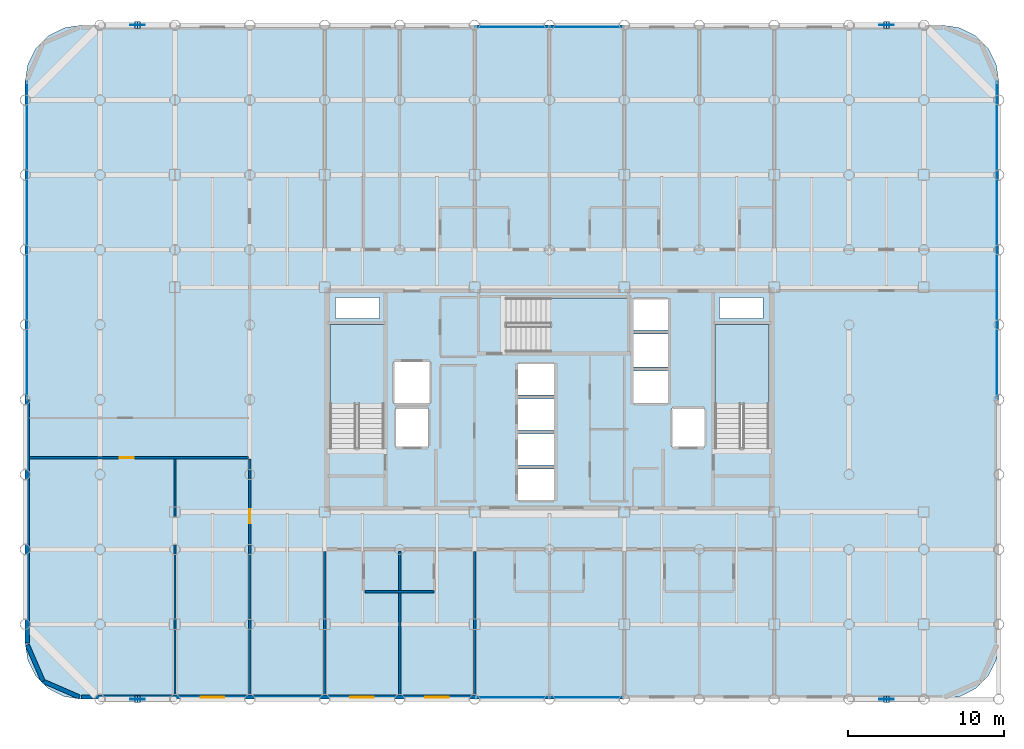
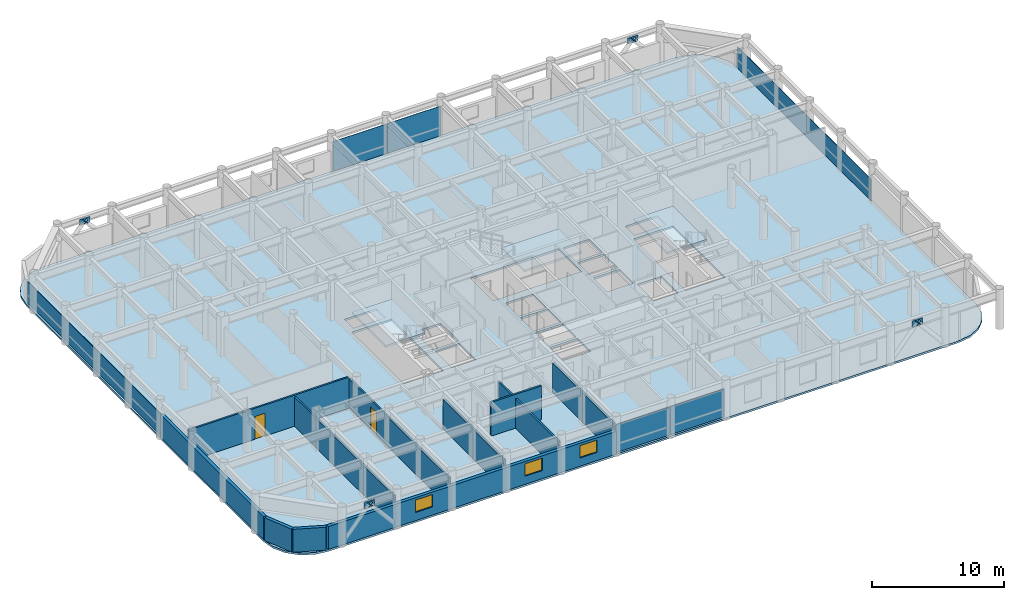
# One storey, part 15 of 20: 18 plates, 11 walls, 4 slabs, 3 windows, 2 doors, 5 openings, 7 elements without a shape of their own.
"""IFC4 building model written with IfcOpenShell, lengths in metres."""

from ifc_helpers import new_model, si_unit, direction, frame, frame_2d, origin, origin_2d, place, context, subcontext, project, spatial, polyline, rectangle, outline, extrude, material, layer, layer_set, type_object, element, fill, aggregate, save


model = new_model("IFC4")

# Units and contexts
model_context = context("Model", 3, precision=1e-05, world=origin(), true_north=direction((0.0, 1.0)))
body_context = subcontext(model_context, "Body", "Model", "MODEL_VIEW")
ifc_project = project(units=[si_unit("LENGTHUNIT", "METRE"), si_unit("AREAUNIT", "SQUARE_METRE"), si_unit("VOLUMEUNIT", "CUBIC_METRE"), si_unit("PLANEANGLEUNIT", "RADIAN"), si_unit("MASSUNIT", "GRAM", prefix="KILO")], contexts=[model_context])

# Site, building, storey
site_placement = place(None, origin())
site = spatial("IfcSite", under=ifc_project, at=site_placement, CompositionType="ELEMENT")
building_placement = place(site_placement, origin())
building = spatial("IfcBuilding", under=site, at=building_placement, Name="Kallvorn Hotel Tower", CompositionType="ELEMENT")
storey_placement = place(building_placement, frame((0.0, 0.0, 128.5)))
storey = spatial("IfcBuildingStorey", under=building, at=storey_placement, Name="L31", CompositionType="ELEMENT", Elevation=128.5)

# Curtain wall, plates
ifc_material_1 = material(Name="Thermally broken black-anodised aluminium AA 6063-T6", Category="aluminium")
ifc_layer_1 = layer(ifc_material_1, 0.2099609375)
ifc_layer_set_1 = layer_set([ifc_layer_1], Name="CW_SYS_4_HOTEL_MID")
curtain_wall_type = type_object("IfcCurtainWallType", Name="CW_SYS_4_HOTEL_MID", PredefinedType="USERDEFINED", material=ifc_layer_set_1)
curtain_wall_1_placement = place(storey_placement, origin())
curtain_wall_1 = element("IfcCurtainWall", 1, at=curtain_wall_1_placement, inside=storey, type_object=curtain_wall_type, Name="L31 Dark-Glass Curtain Wall CW-L31-SC", ObjectType="UNITISED CURTAIN WALL", PredefinedType="USERDEFINED")
ifc_material_2 = material(Name="Double-glazed low-e solar-control dark glass", Category="glass")
ifc_layer_2 = layer(ifc_material_2, 0.037841796875)
ifc_layer_set_2 = layer_set([ifc_layer_2], Name="CW_SYS_4_HOTEL_MID_PANEL")
plate_type_1 = type_object("IfcPlateType", Name="CW_SYS_4_HOTEL_MID_PANEL", PredefinedType="CURTAIN_PANEL", material=ifc_layer_set_2)
plate_1_placement = place(storey_placement, frame((-2.375, -19.080078125, 0.06005859375), z_axis=(0.0, 0.0, 1.0), x_axis=(1.0, 0.0, 0.0)))
plate_1 = element("IfcPlate", 2, at=plate_1_placement, type_object=plate_type_1, Name="CW-L31-SC Vision Glass Panel 00", PredefinedType="CURTAIN_PANEL", context=body_context, shape_type="SweptSolid", body=[
    extrude(rectangle(XDim=4.68994140625, YDim=0.037841796875, at=origin_2d()), origin(), (0.0, 0.0, 1.0), 2.60009765625),
])
plate_2_placement = place(storey_placement, frame((2.375, -19.080078125, 0.06005859375), z_axis=(0.0, 0.0, 1.0), x_axis=(1.0, 0.0, 0.0)))
plate_2 = element("IfcPlate", 3, at=plate_2_placement, type_object=plate_type_1, Name="CW-L31-SC Vision Glass Panel 01", PredefinedType="CURTAIN_PANEL", context=body_context, shape_type="SweptSolid", body=[
    extrude(rectangle(XDim=4.68994140625, YDim=0.037841796875, at=origin_2d()), origin(), (0.0, 0.0, 1.0), 2.60009765625),
])
aggregate(curtain_wall_1, [plate_1, plate_2])

curtain_wall_2_placement = place(storey_placement, origin())
curtain_wall_2 = element("IfcCurtainWall", 4, at=curtain_wall_2_placement, inside=storey, type_object=curtain_wall_type, Name="L31 Dark-Glass Curtain Wall CW-L31-NC", ObjectType="UNITISED CURTAIN WALL", PredefinedType="USERDEFINED")
plate_3_placement = place(storey_placement, frame((-2.375, 23.8798828125, 0.06005859375), z_axis=(0.0, 0.0, 1.0), x_axis=(1.0, 0.0, 0.0)))
plate_3 = element("IfcPlate", 5, at=plate_3_placement, type_object=plate_type_1, Name="CW-L31-NC Vision Glass Panel 00", PredefinedType="CURTAIN_PANEL", context=body_context, shape_type="SweptSolid", body=[
    extrude(rectangle(XDim=4.68994140625, YDim=0.037841796875, at=origin_2d()), origin(), (0.0, 0.0, 1.0), 2.75),
])
plate_4_placement = place(storey_placement, frame((2.375, 23.8798828125, 0.06005859375), z_axis=(0.0, 0.0, 1.0), x_axis=(1.0, 0.0, 0.0)))
plate_4 = element("IfcPlate", 6, at=plate_4_placement, type_object=plate_type_1, Name="CW-L31-NC Vision Glass Panel 01", PredefinedType="CURTAIN_PANEL", context=body_context, shape_type="SweptSolid", body=[
    extrude(rectangle(XDim=4.68994140625, YDim=0.037841796875, at=origin_2d()), origin(), (0.0, 0.0, 1.0), 2.75),
])
aggregate(curtain_wall_2, [plate_3, plate_4])

# Curtain wall, plate
curtain_wall_3_placement = place(storey_placement, origin())
curtain_wall_3 = element("IfcCurtainWall", 7, at=curtain_wall_3_placement, inside=storey, type_object=curtain_wall_type, Name="L31 Dark-Glass Curtain Wall CW-L31-WN", ObjectType="UNITISED CURTAIN WALL", PredefinedType="USERDEFINED")
plate_5_placement = place(storey_placement, frame((-33.47998046875, 10.2099609375, 0.06005859375), z_axis=(0.0, 0.0, 1.0), x_axis=(0.0, 1.0, 0.0)))
plate_5 = element("IfcPlate", 8, at=plate_5_placement, type_object=plate_type_1, Name="CW-L31-WN Vision Glass Panel 00", PredefinedType="CURTAIN_PANEL", context=body_context, shape_type="SweptSolid", body=[
    extrude(rectangle(XDim=20.320068359375, YDim=0.037841796875, at=origin_2d()), origin(), (0.0, 0.0, 1.0), 2.0),
])
aggregate(curtain_wall_3, [plate_5])

curtain_wall_4_placement = place(storey_placement, origin())
curtain_wall_4 = element("IfcCurtainWall", 9, at=curtain_wall_4_placement, inside=storey, type_object=curtain_wall_type, Name="L31 Dark-Glass Curtain Wall CW-L31-EN", ObjectType="UNITISED CURTAIN WALL", PredefinedType="USERDEFINED")
plate_6_placement = place(storey_placement, frame((28.679931640625, 10.2099609375, 0.06005859375), z_axis=(0.0, 0.0, 1.0), x_axis=(0.0, 1.0, 0.0)))
plate_6 = element("IfcPlate", 10, at=plate_6_placement, type_object=plate_type_1, Name="CW-L31-EN Vision Glass Panel 00", PredefinedType="CURTAIN_PANEL", context=body_context, shape_type="SweptSolid", body=[
    extrude(rectangle(XDim=20.320068359375, YDim=0.037841796875, at=origin_2d()), origin(), (0.0, 0.0, 1.0), 2.0),
])
aggregate(curtain_wall_4, [plate_6])

# Plates
ifc_material_3 = material(Name="Structural steel S355JR", Category="steel")
ifc_layer_3 = layer(ifc_material_3, 0.030029296875)
ifc_layer_set_3 = layer_set([ifc_layer_3], Name="PLT_CAP_30")
plate_type_2 = type_object("IfcPlateType", Name="PLT_CAP_30", PredefinedType="SHEET", material=ifc_layer_set_3)
plate_7_placement = place(storey_placement, frame((-26.227294921875, -19.417724609375, 2.876708984375), z_axis=(0.646720691081, 0.0, 0.762726915565), x_axis=(0.0, 1.0, 0.0)))
element("IfcPlate", 11, at=plate_7_placement, inside=storey, type_object=plate_type_2, Name="EXO-L31-S1A End Cap Plate B", PredefinedType="SHEET", context=body_context, shape_type="SweptSolid", body=[
    extrude(outline(polyline([(0.0, 0.0), (0.435546875, 0.0), (0.435546875, 0.4356413597636253), (0.0, 0.4356413597636253), (0.0, 0.0)])), origin(), (0.0, 0.0, -1.0), 0.030029296875),
])
plate_8_placement = place(storey_placement, frame((-26.572509765625, -18.982177734375, 2.876708984375), z_axis=(-0.646997204148, 0.0, 0.762492372306), x_axis=(0.0, -1.0, 0.0)))
element("IfcPlate", 12, at=plate_8_placement, inside=storey, type_object=plate_type_2, Name="EXO-L31-S1B End Cap Plate B", PredefinedType="SHEET", context=body_context, shape_type="SweptSolid", body=[
    extrude(outline(polyline([(0.0, 0.0), (0.435546875, 0.0), (0.435546875, 0.43545517576240456), (0.0, 0.43545517576240456), (0.0, 0.0)])), origin(), (0.0, 0.0, -1.0), 0.030029296875),
])
plate_9_placement = place(storey_placement, frame((21.772705078125, -19.417724609375, 2.876708984375), z_axis=(0.646720691081, 0.0, 0.762726915565), x_axis=(0.0, 1.0, 0.0)))
element("IfcPlate", 13, at=plate_9_placement, inside=storey, type_object=plate_type_2, Name="EXO-L31-S2A End Cap Plate B", PredefinedType="SHEET", context=body_context, shape_type="SweptSolid", body=[
    extrude(outline(polyline([(0.0, 0.0), (0.435546875, 0.0), (0.435546875, 0.4356413597636253), (0.0, 0.4356413597636253), (0.0, 0.0)])), origin(), (0.0, 0.0, -1.0), 0.030029296875),
])
plate_10_placement = place(storey_placement, frame((21.427490234375, -18.982177734375, 2.876708984375), z_axis=(-0.646997204148, 0.0, 0.762492372306), x_axis=(0.0, -1.0, 0.0)))
element("IfcPlate", 14, at=plate_10_placement, inside=storey, type_object=plate_type_2, Name="EXO-L31-S2B End Cap Plate B", PredefinedType="SHEET", context=body_context, shape_type="SweptSolid", body=[
    extrude(outline(polyline([(0.0, 0.0), (0.435546875, 0.0), (0.435546875, 0.43545517576240456), (0.0, 0.43545517576240456), (0.0, 0.0)])), origin(), (0.0, 0.0, -1.0), 0.030029296875),
])
plate_11_placement = place(storey_placement, frame((-26.227294921875, 23.7822265625, 2.876708984375), z_axis=(0.646720691081, 0.0, 0.762726915565), x_axis=(0.0, 1.0, 0.0)))
element("IfcPlate", 15, at=plate_11_placement, inside=storey, type_object=plate_type_2, Name="EXO-L31-N1A End Cap Plate B", PredefinedType="SHEET", context=body_context, shape_type="SweptSolid", body=[
    extrude(outline(polyline([(0.0, 0.0), (0.435546875, 0.0), (0.435546875, 0.4356413597636253), (0.0, 0.4356413597636253), (0.0, 0.0)])), origin(), (0.0, 0.0, -1.0), 0.030029296875),
])
plate_12_placement = place(storey_placement, frame((-26.572509765625, 24.2177734375, 2.876708984375), z_axis=(-0.646997204148, 0.0, 0.762492372306), x_axis=(0.0, -1.0, 0.0)))
element("IfcPlate", 16, at=plate_12_placement, inside=storey, type_object=plate_type_2, Name="EXO-L31-N1B End Cap Plate B", PredefinedType="SHEET", context=body_context, shape_type="SweptSolid", body=[
    extrude(outline(polyline([(0.0, 0.0), (0.435546875, 0.0), (0.435546875, 0.43545517576240456), (0.0, 0.43545517576240456), (0.0, 0.0)])), origin(), (0.0, 0.0, -1.0), 0.030029296875),
])
plate_13_placement = place(storey_placement, frame((21.772705078125, 23.7822265625, 2.876708984375), z_axis=(0.646720691081, 0.0, 0.762726915565), x_axis=(0.0, 1.0, 0.0)))
element("IfcPlate", 17, at=plate_13_placement, inside=storey, type_object=plate_type_2, Name="EXO-L31-N2A End Cap Plate B", PredefinedType="SHEET", context=body_context, shape_type="SweptSolid", body=[
    extrude(outline(polyline([(0.0, 0.0), (0.435546875, 0.0), (0.435546875, 0.4356413597636253), (0.0, 0.4356413597636253), (0.0, 0.0)])), origin(), (0.0, 0.0, -1.0), 0.030029296875),
])
plate_14_placement = place(storey_placement, frame((21.427490234375, 24.2177734375, 2.876708984375), z_axis=(-0.646997204148, 0.0, 0.762492372306), x_axis=(0.0, -1.0, 0.0)))
element("IfcPlate", 18, at=plate_14_placement, inside=storey, type_object=plate_type_2, Name="EXO-L31-N2B End Cap Plate B", PredefinedType="SHEET", context=body_context, shape_type="SweptSolid", body=[
    extrude(outline(polyline([(0.0, 0.0), (0.435546875, 0.0), (0.435546875, 0.43545517576240456), (0.0, 0.43545517576240456), (0.0, 0.0)])), origin(), (0.0, 0.0, -1.0), 0.030029296875),
])
ifc_material_4 = material(Name="Structural steel S355JR", Category="steel")
ifc_layer_4 = layer(ifc_material_4, 0.044921875)
ifc_layer_set_4 = layer_set([ifc_layer_4], Name="PLT_GUSSET_45")
plate_type_3 = type_object("IfcPlateType", Name="PLT_GUSSET_45", PredefinedType="USERDEFINED", material=ifc_layer_set_4)
for number, where, z_axis, x_axis, name in (
    (19, (-26.39990234375, -19.199951171875, 2.68994140625), (0.0, 0.0, 1.0), (1.0, 0.0, 0.0), "L31 Exoskeleton Node Gusset S1"),
    (20, (21.60009765625, -19.199951171875, 2.68994140625), (0.0, 0.0, 1.0), (1.0, 0.0, 0.0), "L31 Exoskeleton Node Gusset S2"),
    (21, (-26.39990234375, 24.0, 2.68994140625), (0.0, 0.0, 1.0), (1.0, 0.0, 0.0), "L31 Exoskeleton Node Gusset N1"),
    (22, (21.60009765625, 24.0, 2.68994140625), (0.0, 0.0, 1.0), (1.0, 0.0, 0.0), "L31 Exoskeleton Node Gusset N2"),
):
    element("IfcPlate", number, at=place(storey_placement, frame(where, z_axis=z_axis, x_axis=x_axis)), inside=storey, type_object=plate_type_3, Name=name, ObjectType="GUSSET PLATE", PredefinedType="USERDEFINED", context=body_context, shape_type="SweptSolid", body=[
        extrude(rectangle(XDim=0.89990234375, YDim=0.044921875, at=origin_2d()), origin(), (0.0, 0.0, 1.0), 0.56005859375),
    ])

# Stair, slab
ifc_material_5 = material(Name="Precast concrete C40/50", Category="concrete")
stair_type = type_object("IfcStairType", Name="STR_CORE_DOGLEG", PredefinedType="HALF_TURN_STAIR", material=ifc_material_5)
stair_1_placement = place(storey_placement, origin())
stair_1 = element("IfcStair", 23, at=stair_1_placement, inside=storey, type_object=stair_type, Name="L31 Exit stair ST1", PredefinedType="HALF_TURN_STAIR")
ifc_material_6 = material(Name="Precast concrete C40/50", Category="concrete")
ifc_layer_5 = layer(ifc_material_6, 0.179931640625)
ifc_layer_set_5 = layer_set([ifc_layer_5], Name="SLB_LANDING_180")
slab_type_1 = type_object("IfcSlabType", Name="SLB_LANDING_180", PredefinedType="LANDING", material=ifc_layer_set_5)
slab_1_placement = place(storey_placement, frame((0.0, 0.0, 1.64990234375)))
slab_1 = element("IfcSlab", 24, at=slab_1_placement, type_object=slab_type_1, Name="ST1 landing 1", PredefinedType="LANDING", context=body_context, shape_type="SweptSolid", body=[
    extrude(outline(polyline([(-10.60009765625, -0.31005859375), (-10.60009765625, 4.800048828125), (-14.06005859375, 4.800048828125), (-14.06005859375, -0.31005859375), (-10.60009765625, -0.31005859375)])), origin(), (0.0, 0.0, 1.0), 0.2001953125),
])
aggregate(stair_1, [slab_1])

stair_2_placement = place(storey_placement, origin())
stair_2 = element("IfcStair", 25, at=stair_2_placement, inside=storey, type_object=stair_type, Name="L31 Exit stair ST2", PredefinedType="HALF_TURN_STAIR")
slab_2_placement = place(storey_placement, frame((0.0, 0.0, 1.64990234375)))
slab_2 = element("IfcSlab", 26, at=slab_2_placement, type_object=slab_type_1, Name="ST2 landing 1", PredefinedType="LANDING", context=body_context, shape_type="SweptSolid", body=[
    extrude(outline(polyline([(14.06005859375, -0.31005859375), (14.06005859375, 4.800048828125), (10.60009765625, 4.800048828125), (10.60009765625, -0.31005859375), (14.06005859375, -0.31005859375)])), origin(), (0.0, 0.0, 1.0), 0.2001953125),
])
aggregate(stair_2, [slab_2])

stair_3_placement = place(storey_placement, origin())
stair_3 = element("IfcStair", 27, at=stair_3_placement, inside=storey, type_object=stair_type, Name="L31 Exit stair ST3", PredefinedType="HALF_TURN_STAIR")
slab_3_placement = place(storey_placement, frame((0.0, 0.0, 1.64990234375)))
slab_3 = element("IfcSlab", 28, at=slab_3_placement, type_object=slab_type_1, Name="ST3 landing 1", PredefinedType="LANDING", context=body_context, shape_type="SweptSolid", body=[
    extrude(outline(polyline([(0.0400390625, 3.050048828125), (5.050048828125, 3.050048828125), (5.050048828125, 6.510009765625), (0.0400390625, 6.510009765625), (0.0400390625, 3.050048828125)])), origin(), (0.0, 0.0, 1.0), 0.2001953125),
])
aggregate(stair_3, [slab_3])

# Slab
ifc_material_7 = material(Name="Concrete C40/50", Category="concrete")
ifc_layer_6 = layer(ifc_material_7, 0.179931640625)
ifc_layer_set_6 = layer_set([ifc_layer_6], Name="SLB_TOWER_180")
slab_type_2 = type_object("IfcSlabType", Name="SLB_TOWER_180", PredefinedType="FLOOR", material=ifc_layer_set_6)
slab_4_placement = place(storey_placement, frame((0.0, 0.0, -0.179931640625)))
element("IfcSlab", 29, at=slab_4_placement, inside=storey, type_object=slab_type_2, Name="L31 Structural Floor Slab", PredefinedType="FLOOR", context=body_context, shape_type="SweptSolid", body=[
    extrude(outline(polyline([(25.199951171875, -19.199951171875), (26.3125, -19.023681640625), (27.31591796875, -18.512451171875), (28.112548828125, -17.716064453125), (28.623779296875, -16.71240234375), (28.800048828125, -15.60009765625), (28.800048828125, 20.39990234375), (28.623779296875, 21.512451171875), (28.112548828125, 22.51611328125), (27.31591796875, 23.3125), (26.3125, 23.82373046875), (25.199951171875, 24.0), (-30.0, 24.0), (-31.112548828125, 23.82373046875), (-32.115966796875, 23.3125), (-32.91259765625, 22.51611328125), (-33.423828125, 21.512451171875), (-33.60009765625, 20.39990234375), (-33.60009765625, -15.60009765625), (-33.423828125, -16.71240234375), (-32.91259765625, -17.716064453125), (-32.115966796875, -18.512451171875), (-31.112548828125, -19.023681640625), (-30.0, -19.199951171875), (25.199951171875, -19.199951171875)]), holes=[polyline([(-10.60009765625, -3.070068359375), (-10.60009765625, 4.800048828125), (-14.06005859375, 4.800048828125), (-14.06005859375, -3.070068359375), (-10.60009765625, -3.070068359375)]), polyline([(14.06005859375, -3.070068359375), (14.06005859375, 4.800048828125), (10.60009765625, 4.800048828125), (10.60009765625, -3.070068359375), (14.06005859375, -3.070068359375)]), polyline([(-2.719970703125, 3.050048828125), (5.050048828125, 3.050048828125), (5.050048828125, 6.510009765625), (-2.719970703125, 6.510009765625), (-2.719970703125, 3.050048828125)]), polyline([(-2.050048828125, -6.449951171875), (0.35009765625, -6.449951171875), (0.35009765625, -4.449951171875), (-2.050048828125, -4.449951171875), (-2.050048828125, -6.449951171875)]), polyline([(-2.050048828125, -4.199951171875), (0.35009765625, -4.199951171875), (0.35009765625, -2.199951171875), (-2.050048828125, -2.199951171875), (-2.050048828125, -4.199951171875)]), polyline([(-2.050048828125, -1.949951171875), (0.35009765625, -1.949951171875), (0.35009765625, 0.050048828125), (-2.050048828125, 0.050048828125), (-2.050048828125, -1.949951171875)]), polyline([(-2.050048828125, 0.300048828125), (0.35009765625, 0.300048828125), (0.35009765625, 2.300048828125), (-2.050048828125, 2.300048828125), (-2.050048828125, 0.300048828125)]), polyline([(5.35009765625, -0.25), (7.64990234375, -0.25), (7.64990234375, 1.85009765625), (5.35009765625, 1.85009765625), (5.35009765625, -0.25)]), polyline([(5.35009765625, 2.10009765625), (7.64990234375, 2.10009765625), (7.64990234375, 4.199951171875), (5.35009765625, 4.199951171875), (5.35009765625, 2.10009765625)]), polyline([(5.35009765625, 4.449951171875), (7.64990234375, 4.449951171875), (7.64990234375, 6.449951171875), (5.35009765625, 6.449951171875), (5.35009765625, 4.449951171875)]), polyline([(-9.85009765625, -3.050048828125), (-7.75, -3.050048828125), (-7.75, -0.550048828125), (-9.85009765625, -0.550048828125), (-9.85009765625, -3.050048828125)]), polyline([(7.85009765625, -3.050048828125), (9.949951171875, -3.050048828125), (9.949951171875, -0.550048828125), (7.85009765625, -0.550048828125), (7.85009765625, -3.050048828125)]), polyline([(-9.949951171875, -0.25), (-7.64990234375, -0.25), (-7.64990234375, 2.449951171875), (-9.949951171875, 2.449951171875), (-9.949951171875, -0.25)]), polyline([(-13.699951171875, 5.199951171875), (-10.89990234375, 5.199951171875), (-10.89990234375, 6.550048828125), (-13.699951171875, 6.550048828125), (-13.699951171875, 5.199951171875)]), polyline([(10.89990234375, 5.199951171875), (13.699951171875, 5.199951171875), (13.699951171875, 6.550048828125), (10.89990234375, 6.550048828125), (10.89990234375, 5.199951171875)])]), origin(), (0.0, 0.0, 1.0), 0.179931640625),
])

# Walls
ifc_material_8 = material(Name="Fire-rated double-layer acoustic gypsum drywall EI 60")
ifc_layer_7 = layer(ifc_material_8, 0.159912109375)
ifc_layer_set_7 = layer_set([ifc_layer_7], Name="WL_DEMISE_160")
wall_type_1 = type_object("IfcWallType", Name="WL_DEMISE_160", PredefinedType="PARTITIONING", material=ifc_layer_set_7)
wall_1_placement = place(storey_placement, frame((-11.81005859375, -12.320068359375, 0.0), z_axis=(0.0, 0.0, 1.0), x_axis=(1.0, 0.0, 0.0)))
element("IfcWall", 30, at=wall_1_placement, inside=storey, type_object=wall_type_1, Name="L31 Suite 3101 Superior Twin Room Partition", PredefinedType="PARTITIONING", context=body_context, shape_type="SweptSolid", body=[
    extrude(rectangle(XDim=4.420166015625, YDim=0.159912109375, at=frame_2d((2.2099609375, 0.0))), origin(), (0.0, 0.0, 1.0), 3.1201171875),
])
for number, where, z_axis, x_axis, name in (
    (31, (-14.39990234375, -18.909912109375, 0.0), (0.0, 0.0, 1.0), (0.0, 1.0, 0.0), "L31 Suite 3101 Superior Twin Room Partition"),
    (32, (-9.60009765625, -18.909912109375, 0.0), (0.0, 0.0, 1.0), (0.0, 1.0, 0.0), "L31 Suite 3101 Superior Twin Room Partition"),
    (33, (-4.800048828125, -18.909912109375, 0.0), (0.0, 0.0, 1.0), (0.0, 1.0, 0.0), "L31 Suite 3102 Superior Twin Room Partition"),
):
    element("IfcWall", number, at=place(storey_placement, frame(where, z_axis=z_axis, x_axis=x_axis)), inside=storey, type_object=wall_type_1, Name=name, PredefinedType="PARTITIONING", context=body_context, shape_type="SweptSolid", body=[
        extrude(rectangle(XDim=9.18994140625, YDim=0.159912109375, at=frame_2d((4.594970703125, 0.0))), origin(), (0.0, 0.0, 1.0), 2.719970703125),
    ])
ifc_material_9 = material(Name="Precast basalt-clad insulated concrete wall C40/50", Category="masonry")
ifc_layer_8 = layer(ifc_material_9, 0.280029296875)
ifc_layer_set_8 = layer_set([ifc_layer_8], Name="WL_EXT_LOGGIA_280")
wall_type_2 = type_object("IfcWallType", Name="WL_EXT_LOGGIA_280", PredefinedType="SOLIDWALL", material=ifc_layer_set_8)
wall_2_placement = place(storey_placement, frame((-33.4580078125, -15.720703125, 0.0), z_axis=(0.0, 0.0, 1.0), x_axis=(0.398792985289, -0.917040977756, 0.0)))
element("IfcWall", 34, at=wall_2_placement, inside=storey, type_object=wall_type_2, Name="L31 Rounded Corner Exterior Wall SW1", PredefinedType="SOLIDWALL", context=body_context, shape_type="SweptSolid", body=[
    extrude(rectangle(XDim=2.536376953125, YDim=0.280029296875, at=frame_2d((1.26806640625, 0.0))), origin(), (0.0, 0.0, 1.0), 2.1201171875),
])
wall_3_placement = place(storey_placement, frame((-32.446533203125, -18.046630859375, 0.0), z_axis=(0.0, 0.0, 1.0), x_axis=(0.917060872934, -0.398747232384, 0.0)))
element("IfcWall", 35, at=wall_3_placement, inside=storey, type_object=wall_type_2, Name="L31 Rounded Corner Exterior Wall SW2", PredefinedType="SOLIDWALL", context=body_context, shape_type="SweptSolid", body=[
    extrude(rectangle(XDim=2.5361328125, YDim=0.280029296875, at=frame_2d((1.26806640625, 0.0))), origin(), (0.0, 0.0, 1.0), 2.1201171875),
])

# Wall, openings, windows
wall_4_placement = place(storey_placement, frame((-30.0, -19.06005859375, 0.0), z_axis=(0.0, 0.0, 1.0), x_axis=(1.0, 0.0, 0.0)))
wall_4 = element("IfcWall", 36, at=wall_4_placement, inside=storey, type_object=wall_type_2, Name="L31 Exterior Envelope Wall EW-L31-SW", PredefinedType="SOLIDWALL", context=body_context, shape_type="SweptSolid", body=[
    extrude(rectangle(XDim=25.25, YDim=0.280029296875, at=frame_2d((12.625, 0.0))), origin(), (0.0, 0.0, 1.0), 2.1201171875),
])
opening_1_placement = place(wall_4_placement, frame((7.64990234375, 0.0, 0.75)))
opening_1 = element("IfcOpeningElement", 37, at=opening_1_placement, cuts=wall_4, Name="Opening W05A", PredefinedType="OPENING", context=body_context, shape_type="SweptSolid", body=[
    extrude(rectangle(XDim=1.5, YDim=1.14990234375, at=frame_2d((0.75, 0.574951171875))), frame((0.0, 0.155029296875, 0.0), z_axis=(0.0, -1.0, 0.0), x_axis=(1.0, 0.0, 0.0)), (0.0, 0.0, 1.0), 0.31005859375),
])
opening_2_placement = place(wall_4_placement, frame((17.25, 0.0, 0.75)))
opening_2 = element("IfcOpeningElement", 38, at=opening_2_placement, cuts=wall_4, Name="Opening W05A", PredefinedType="OPENING", context=body_context, shape_type="SweptSolid", body=[
    extrude(rectangle(XDim=1.5, YDim=1.14990234375, at=frame_2d((0.75, 0.574951171875))), frame((0.0, 0.155029296875, 0.0), z_axis=(0.0, -1.0, 0.0), x_axis=(1.0, 0.0, 0.0)), (0.0, 0.0, 1.0), 0.31005859375),
])
opening_3_placement = place(wall_4_placement, frame((22.050048828125, 0.0, 0.75)))
opening_3 = element("IfcOpeningElement", 39, at=opening_3_placement, cuts=wall_4, Name="Opening W05A", PredefinedType="OPENING", context=body_context, shape_type="SweptSolid", body=[
    extrude(rectangle(XDim=1.5, YDim=1.14990234375, at=frame_2d((0.75, 0.574951171875))), frame((0.0, 0.155029296875, 0.0), z_axis=(0.0, -1.0, 0.0), x_axis=(1.0, 0.0, 0.0)), (0.0, 0.0, 1.0), 0.31005859375),
])
ifc_material_10 = material(Name="Double-glazed low-e solar-control dark glass", Category="glass")
window_type = type_object("IfcWindowType", Name="WN_HTL_1500x1150", PartitioningType="SINGLE_PANEL", PredefinedType="WINDOW", material=ifc_material_10)
window_1_placement = place(opening_1_placement, origin())
window_1 = element("IfcWindow", 40, at=window_1_placement, inside=storey, type_object=window_type, Name="L31 Guestroom Exterior Window 01", OverallHeight=1.14990234375, OverallWidth=1.5, PartitioningType="SINGLE_PANEL", PredefinedType="WINDOW", context=body_context, shape_type="SweptSolid", body=[
    extrude(rectangle(XDim=1.5, YDim=1.14990234375, at=frame_2d((0.75, 0.574951171875))), frame((0.0, 0.030029296875, 0.0), z_axis=(0.0, -1.0, 0.0), x_axis=(1.0, 0.0, 0.0)), (0.0, 0.0, 1.0), 0.06005859375),
])
fill(opening_1, window_1)
window_2_placement = place(opening_2_placement, origin())
window_2 = element("IfcWindow", 41, at=window_2_placement, inside=storey, type_object=window_type, Name="L31 Guestroom Exterior Window 05", OverallHeight=1.14990234375, OverallWidth=1.5, PartitioningType="SINGLE_PANEL", PredefinedType="WINDOW", context=body_context, shape_type="SweptSolid", body=[
    extrude(rectangle(XDim=1.5, YDim=1.14990234375, at=frame_2d((0.75, 0.574951171875))), frame((0.0, 0.030029296875, 0.0), z_axis=(0.0, -1.0, 0.0), x_axis=(1.0, 0.0, 0.0)), (0.0, 0.0, 1.0), 0.06005859375),
])
fill(opening_2, window_2)
window_3_placement = place(opening_3_placement, origin())
window_3 = element("IfcWindow", 42, at=window_3_placement, inside=storey, type_object=window_type, Name="L31 Guestroom Exterior Window 06", OverallHeight=1.14990234375, OverallWidth=1.5, PartitioningType="SINGLE_PANEL", PredefinedType="WINDOW", context=body_context, shape_type="SweptSolid", body=[
    extrude(rectangle(XDim=1.5, YDim=1.14990234375, at=frame_2d((0.75, 0.574951171875))), frame((0.0, 0.030029296875, 0.0), z_axis=(0.0, -1.0, 0.0), x_axis=(1.0, 0.0, 0.0)), (0.0, 0.0, 1.0), 0.06005859375),
])
fill(opening_3, window_3)

# Wall
wall_5_placement = place(storey_placement, frame((-33.4599609375, -15.60009765625, 0.0), z_axis=(0.0, 0.0, 1.0), x_axis=(0.0, 1.0, 0.0)))
element("IfcWall", 43, at=wall_5_placement, inside=storey, type_object=wall_type_2, Name="L31 Exterior Envelope Wall EW-L31-WS", PredefinedType="SOLIDWALL", context=body_context, shape_type="SweptSolid", body=[
    extrude(rectangle(XDim=15.580078125, YDim=0.280029296875, at=frame_2d((7.7900390625, 0.0))), origin(), (0.0, 0.0, 1.0), 2.1201171875),
])

# Wall, opening, door
ifc_material_11 = material(Name="Fire-rated double-layer acoustic gypsum drywall EI 60")
ifc_layer_9 = layer(ifc_material_11, 0.14990234375)
ifc_layer_set_9 = layer_set([ifc_layer_9], Name="WL_PART_150")
wall_type_3 = type_object("IfcWallType", Name="WL_PART_150", PredefinedType="PARTITIONING", material=ifc_layer_set_9)
wall_6_placement = place(storey_placement, frame((-33.31005859375, -3.719970703125, 0.0), z_axis=(0.0, 0.0, 1.0), x_axis=(1.0, 0.0, 0.0)))
wall_6 = element("IfcWall", 44, at=wall_6_placement, inside=storey, type_object=wall_type_3, Name="L31 L31 Outer South-West Tea Bar Partition", PredefinedType="PARTITIONING", context=body_context, shape_type="SweptSolid", body=[
    extrude(rectangle(XDim=14.030029296875, YDim=0.14990234375, at=frame_2d((7.01513671875, 0.0))), origin(), (0.0, 0.0, 1.0), 2.8701171875),
])
opening_4_placement = place(wall_6_placement, frame((5.78515625, 0.0, 0.0)))
opening_4 = element("IfcOpeningElement", 45, at=opening_4_placement, cuts=wall_6, Name="Opening SVD1", PredefinedType="OPENING", context=body_context, shape_type="SweptSolid", body=[
    extrude(rectangle(XDim=0.89990234375, YDim=2.10009765625, at=frame_2d((0.449951171875, 1.050048828125))), frame((0.0, 0.08984375, 0.0), z_axis=(0.0, -1.0, 0.0), x_axis=(1.0, 0.0, 0.0)), (0.0, 0.0, 1.0), 0.179931640625),
])
ifc_material_12 = material(Name="Galvanised painted steel fire-rated door assembly", Category="steel")
door_type = type_object("IfcDoorType", Name="DR_SERV_900x2100", OperationType="NOTDEFINED", PredefinedType="DOOR", material=ifc_material_12)
door_1_placement = place(opening_4_placement, origin())
door_1 = element("IfcDoor", 46, at=door_1_placement, inside=storey, type_object=door_type, Name="L31 L31 Outer South-West Tea Bar Door", OperationType="SINGLE_SWING_RIGHT", OverallHeight=2.10009765625, OverallWidth=0.89990234375, PredefinedType="DOOR", context=body_context, shape_type="SweptSolid", body=[
    extrude(rectangle(XDim=0.89990234375, YDim=2.10009765625, at=frame_2d((0.449951171875, 1.050048828125))), frame((0.0, 0.02490234375, 0.0), z_axis=(0.0, -1.0, 0.0), x_axis=(1.0, 0.0, 0.0)), (0.0, 0.0, 1.0), 0.050048828125),
])
fill(opening_4, door_1)

# Wall
wall_7_placement = place(storey_placement, frame((-24.0, -18.909912109375, 0.0), z_axis=(0.0, 0.0, 1.0), x_axis=(0.0, 1.0, 0.0)))
element("IfcWall", 47, at=wall_7_placement, inside=storey, type_object=wall_type_3, Name="L31 L31 Inner South-West Wine Gallery Partition", PredefinedType="PARTITIONING", context=body_context, shape_type="SweptSolid", body=[
    extrude(rectangle(XDim=15.10498046875, YDim=0.14990234375, at=frame_2d((7.552490234375, 0.0))), origin(), (0.0, 0.0, 1.0), 2.719970703125),
])

# Wall, opening, door
wall_8_placement = place(storey_placement, frame((-19.199951171875, -18.909912109375, 0.0), z_axis=(0.0, 0.0, 1.0), x_axis=(0.0, 1.0, 0.0)))
wall_8 = element("IfcWall", 48, at=wall_8_placement, inside=storey, type_object=wall_type_3, Name="L31 L31 Inner South-West Wine Gallery Partition", PredefinedType="PARTITIONING", context=body_context, shape_type="SweptSolid", body=[
    extrude(rectangle(XDim=15.10498046875, YDim=0.14990234375, at=frame_2d((7.552490234375, 0.0))), origin(), (0.0, 0.0, 1.0), 2.719970703125),
])
opening_5_placement = place(wall_8_placement, frame((10.99267578125, 0.0, 0.0)))
opening_5 = element("IfcOpeningElement", 49, at=opening_5_placement, cuts=wall_8, Name="Opening SVD1", PredefinedType="OPENING", context=body_context, shape_type="SweptSolid", body=[
    extrude(rectangle(XDim=0.89990234375, YDim=2.10009765625, at=frame_2d((0.449951171875, 1.050048828125))), frame((0.0, 0.08984375, 0.0), z_axis=(0.0, -1.0, 0.0), x_axis=(1.0, 0.0, 0.0)), (0.0, 0.0, 1.0), 0.179931640625),
])
door_2_placement = place(opening_5_placement, origin())
door_2 = element("IfcDoor", 50, at=door_2_placement, inside=storey, type_object=door_type, Name="L31 L31 Inner South-West Wine Gallery Door", OperationType="SINGLE_SWING_LEFT", OverallHeight=2.10009765625, OverallWidth=0.89990234375, PredefinedType="DOOR", context=body_context, shape_type="SweptSolid", body=[
    extrude(rectangle(XDim=0.89990234375, YDim=2.10009765625, at=frame_2d((0.449951171875, 1.050048828125))), frame((0.0, 0.02490234375, 0.0), z_axis=(0.0, -1.0, 0.0), x_axis=(1.0, 0.0, 0.0)), (0.0, 0.0, 1.0), 0.050048828125),
])
fill(opening_5, door_2)

save(model, "model.ifc")
